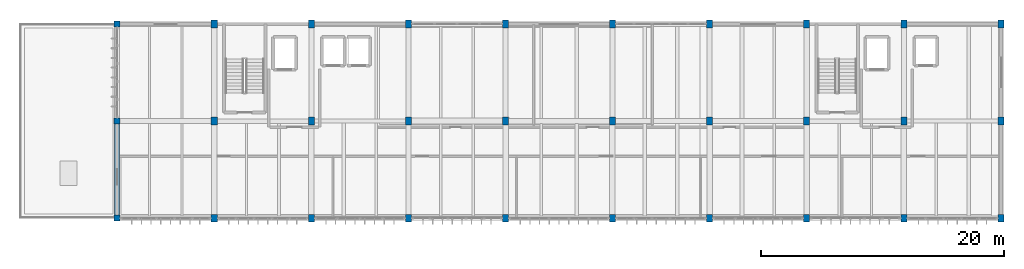
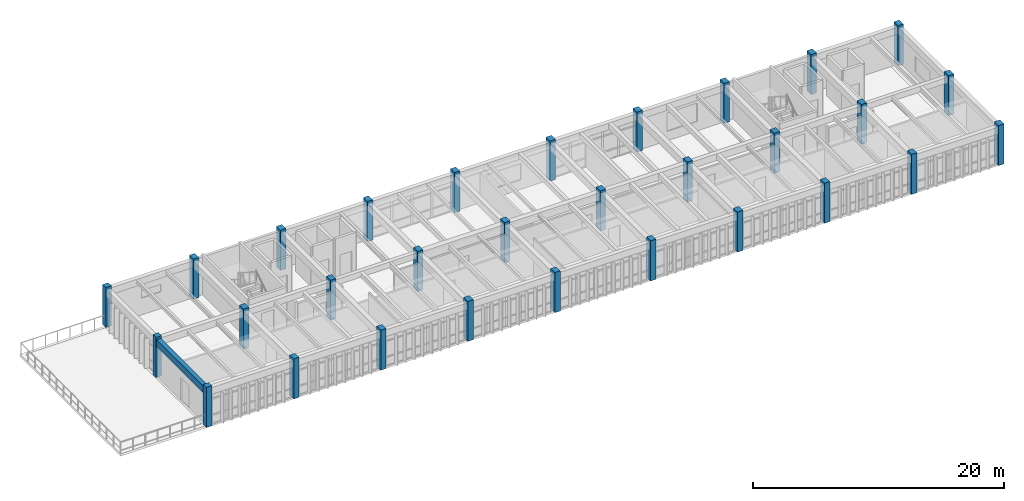
# One storey, part 1 of 15: 30 columns, 1 beam.
"""IFC4 building model written with IfcOpenShell, lengths in metres."""

from ifc_helpers import new_model, si_unit, direction, frame, origin, origin_2d, place, context, subcontext, project, spatial, rectangle, extrude, material, material_profile, profile_set, type_object, element, save


model = new_model("IFC4")

# Units and contexts
model_context = context("Model", 3, precision=1e-05, world=origin(), true_north=direction((0.0, 1.0)))
body_context = subcontext(model_context, "Body", "Model", "MODEL_VIEW")
ifc_project = project(units=[si_unit("LENGTHUNIT", "METRE"), si_unit("AREAUNIT", "SQUARE_METRE"), si_unit("VOLUMEUNIT", "CUBIC_METRE"), si_unit("PLANEANGLEUNIT", "RADIAN"), si_unit("MASSUNIT", "GRAM", prefix="KILO")], contexts=[model_context])

# Site, building, storey
site_placement = place(None, origin())
site = spatial("IfcSite", under=ifc_project, at=site_placement, CompositionType="ELEMENT")
building_placement = place(site_placement, origin())
building = spatial("IfcBuilding", under=site, at=building_placement, Name="Tlaxcora Railside Police Headquarters", CompositionType="ELEMENT")
storey_placement = place(building_placement, frame((0.0, 0.0, 25.800048828125)))
storey = spatial("IfcBuildingStorey", under=building, at=storey_placement, Name="L06", CompositionType="ELEMENT", Elevation=25.800048828125)

# Columns
ifc_material = material(Name="Concrete C40/50", Category="concrete")
ifc_material_profile_1 = material_profile(ifc_material, rectangle(XDim=0.5, YDim=0.64990234375, at=origin_2d()), Name="RC500X650")
ifc_profile_set_1 = profile_set([ifc_material_profile_1], Name="Concrete C40/50")
column_type_1 = type_object("IfcColumnType", Name="Structural Column CL-28", PredefinedType="COLUMN", material=ifc_profile_set_1)
for number, where, z_axis, x_axis, name in (
    (1, (21.199951171875, 76.800048828125, 0.0), (0.0, 0.0, 1.0), (1.0, 0.0, 0.0), "L06 column (21.2, 76.8)"),
    (2, (21.199951171875, 84.800048828125, 0.0), (0.0, 0.0, 1.0), (1.0, 0.0, 0.0), "L06 column (21.2, 84.8)"),
    (3, (21.199951171875, 92.800048828125, 0.0), (0.0, 0.0, 1.0), (1.0, 0.0, 0.0), "L06 column (21.2, 92.8)"),
    (4, (29.199951171875, 76.800048828125, 0.0), (0.0, 0.0, 1.0), (1.0, 0.0, 0.0), "L06 column (29.2, 76.8)"),
    (5, (29.199951171875, 84.800048828125, 0.0), (0.0, 0.0, 1.0), (1.0, 0.0, 0.0), "L06 column (29.2, 84.8)"),
    (6, (29.199951171875, 92.800048828125, 0.0), (0.0, 0.0, 1.0), (1.0, 0.0, 0.0), "L06 column (29.2, 92.8)"),
    (7, (37.199951171875, 76.800048828125, 0.0), (0.0, 0.0, 1.0), (1.0, 0.0, 0.0), "L06 column (37.2, 76.8)"),
    (8, (37.199951171875, 84.800048828125, 0.0), (0.0, 0.0, 1.0), (1.0, 0.0, 0.0), "L06 column (37.2, 84.8)"),
    (9, (37.199951171875, 92.800048828125, 0.0), (0.0, 0.0, 1.0), (1.0, 0.0, 0.0), "L06 column (37.2, 92.8)"),
    (10, (45.199951171875, 76.800048828125, 0.0), (0.0, 0.0, 1.0), (1.0, 0.0, 0.0), "L06 column (45.2, 76.8)"),
    (11, (45.199951171875, 84.800048828125, 0.0), (0.0, 0.0, 1.0), (1.0, 0.0, 0.0), "L06 column (45.2, 84.8)"),
    (12, (45.199951171875, 92.800048828125, 0.0), (0.0, 0.0, 1.0), (1.0, 0.0, 0.0), "L06 column (45.2, 92.8)"),
    (13, (54.0, 76.800048828125, 0.0), (0.0, 0.0, 1.0), (1.0, 0.0, 0.0), "L06 column (54.0, 76.8)"),
    (14, (54.0, 84.800048828125, 0.0), (0.0, 0.0, 1.0), (1.0, 0.0, 0.0), "L06 column (54.0, 84.8)"),
    (15, (54.0, 92.800048828125, 0.0), (0.0, 0.0, 1.0), (1.0, 0.0, 0.0), "L06 column (54.0, 92.8)"),
    (16, (62.0, 76.800048828125, 0.0), (0.0, 0.0, 1.0), (1.0, 0.0, 0.0), "L06 column (62.0, 76.8)"),
    (17, (62.0, 84.800048828125, 0.0), (0.0, 0.0, 1.0), (1.0, 0.0, 0.0), "L06 column (62.0, 84.8)"),
    (18, (62.0, 92.800048828125, 0.0), (0.0, 0.0, 1.0), (1.0, 0.0, 0.0), "L06 column (62.0, 92.8)"),
    (19, (70.0, 76.800048828125, 0.0), (0.0, 0.0, 1.0), (1.0, 0.0, 0.0), "L06 column (70.0, 76.8)"),
    (20, (70.0, 84.800048828125, 0.0), (0.0, 0.0, 1.0), (1.0, 0.0, 0.0), "L06 column (70.0, 84.8)"),
    (21, (70.0, 92.800048828125, 0.0), (0.0, 0.0, 1.0), (1.0, 0.0, 0.0), "L06 column (70.0, 92.8)"),
    (22, (78.0, 76.800048828125, 0.0), (0.0, 0.0, 1.0), (1.0, 0.0, 0.0), "L06 column (78.0, 76.8)"),
    (23, (78.0, 84.800048828125, 0.0), (0.0, 0.0, 1.0), (1.0, 0.0, 0.0), "L06 column (78.0, 84.8)"),
    (24, (78.0, 92.800048828125, 0.0), (0.0, 0.0, 1.0), (1.0, 0.0, 0.0), "L06 column (78.0, 92.8)"),
    (25, (86.0, 76.800048828125, 0.0), (0.0, 0.0, 1.0), (1.0, 0.0, 0.0), "L06 column (86.0, 76.8)"),
    (26, (86.0, 84.800048828125, 0.0), (0.0, 0.0, 1.0), (1.0, 0.0, 0.0), "L06 column (86.0, 84.8)"),
    (27, (86.0, 92.800048828125, 0.0), (0.0, 0.0, 1.0), (1.0, 0.0, 0.0), "L06 column (86.0, 92.8)"),
):
    element("IfcColumn", number, at=place(storey_placement, frame(where, z_axis=z_axis, x_axis=x_axis)), inside=storey, type_object=column_type_1, Name=name, PredefinedType="COLUMN", context=body_context, shape_type="SweptSolid", body=[
        extrude(rectangle(XDim=0.5, YDim=0.64990234375, at=origin_2d()), origin(), (0.0, 0.0, 1.0), 3.89990234375),
    ])
ifc_material_profile_2 = material_profile(ifc_material, rectangle(XDim=0.5, YDim=0.5, at=origin_2d()), Name="RC500X500")
ifc_profile_set_2 = profile_set([ifc_material_profile_2], Name="Concrete C40/50")
column_type_2 = type_object("IfcColumnType", Name="Structural Column CL-55", PredefinedType="COLUMN", material=ifc_profile_set_2)
for number, where, z_axis, x_axis, name in (
    (28, (13.199951171875, 76.800048828125, 0.0), (0.0, 0.0, 1.0), (1.0, 0.0, 0.0), "L06 column (13.2, 76.8)"),
    (29, (13.199951171875, 84.800048828125, 0.0), (0.0, 0.0, 1.0), (1.0, 0.0, 0.0), "L06 column (13.2, 84.8)"),
    (30, (13.199951171875, 92.800048828125, 0.0), (0.0, 0.0, 1.0), (1.0, 0.0, 0.0), "L06 column (13.2, 92.8)"),
):
    element("IfcColumn", number, at=place(storey_placement, frame(where, z_axis=z_axis, x_axis=x_axis)), inside=storey, type_object=column_type_2, Name=name, PredefinedType="COLUMN", context=body_context, shape_type="SweptSolid", body=[
        extrude(rectangle(XDim=0.5, YDim=0.5, at=origin_2d()), origin(), (0.0, 0.0, 1.0), 3.89990234375),
    ])

# Beam
ifc_material_profile_3 = material_profile(ifc_material, rectangle(XDim=0.39990234375, YDim=0.64990234375, at=origin_2d()), Name="RC400X650")
ifc_profile_set_3 = profile_set([ifc_material_profile_3], Name="Concrete C40/50")
beam_type = type_object("IfcBeamType", Name="Perimeter Spandrel Beam BM-46", PredefinedType="SPANDREL", material=ifc_profile_set_3)
beam_placement = place(storey_placement, frame((13.199951171875, 77.0400390625, 3.3349609375), z_axis=(0.0, 1.0, 0.0), x_axis=(-1.0, 0.0, 0.0)))
element("IfcBeam", 31, at=beam_placement, inside=storey, type_object=beam_type, Name="V5 L06 Y-girder X=13.2", PredefinedType="SPANDREL", context=body_context, shape_type="SweptSolid", body=[
    extrude(rectangle(XDim=0.39990234375, YDim=0.64990234375, at=origin_2d()), origin(), (0.0, 0.0, 1.0), 7.52001953125),
])

save(model, "model.ifc")
